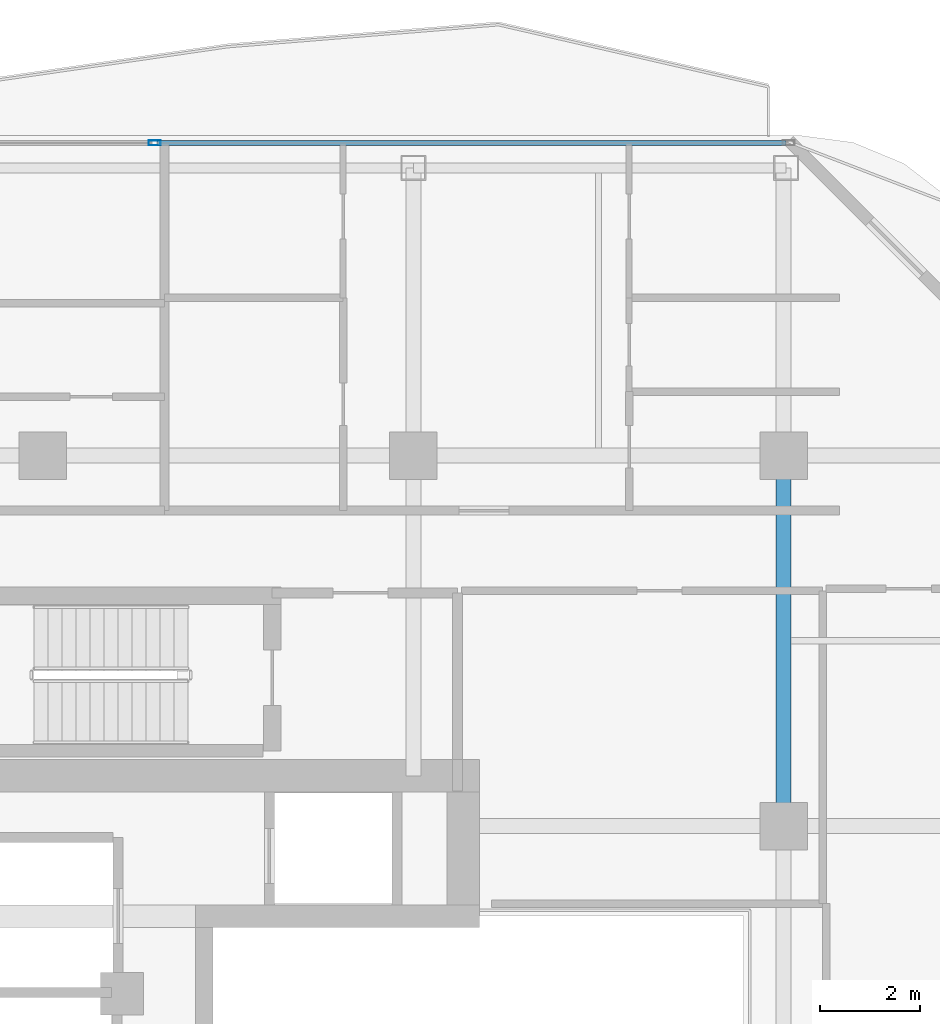
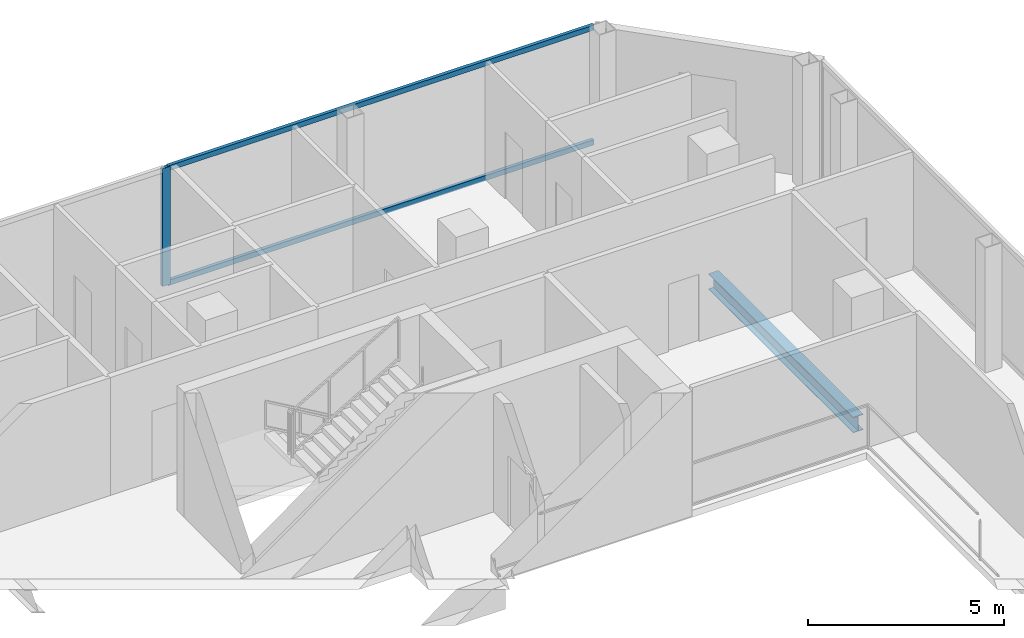
# One storey, part 13 of 23: 3 members, 1 beam, 1 element without a shape of its own.
"""IFC4 building model written with IfcOpenShell, lengths in metres."""

from ifc_helpers import new_model, si_unit, direction, frame, origin, origin_2d, place, context, subcontext, project, spatial, hollow_rectangle, i_section, extrude, material, layer, layer_set, material_profile, profile_set, type_object, element, aggregate, save


model = new_model("IFC4")

# Units and contexts
model_context = context("Model", 3, precision=1e-05, world=origin(), true_north=direction((0.0, 1.0)))
body_context = subcontext(model_context, "Body", "Model", "MODEL_VIEW")
ifc_project = project(units=[si_unit("LENGTHUNIT", "METRE"), si_unit("AREAUNIT", "SQUARE_METRE"), si_unit("VOLUMEUNIT", "CUBIC_METRE"), si_unit("PLANEANGLEUNIT", "RADIAN"), si_unit("MASSUNIT", "GRAM", prefix="KILO")], contexts=[model_context])

# Site, building, storey
site_placement = place(None, origin())
site = spatial("IfcSite", under=ifc_project, at=site_placement, CompositionType="ELEMENT")
building_placement = place(site_placement, origin())
building = spatial("IfcBuilding", under=site, at=building_placement, Name="Khorvyn Point Tower", CompositionType="ELEMENT")
storey_placement = place(building_placement, frame((0.0, 0.0, 293.699951171875)))
storey = spatial("IfcBuildingStorey", under=building, at=storey_placement, Name="L72", CompositionType="ELEMENT", Elevation=293.699951171875)

# Curtain wall, members
ifc_material_1 = material(Name="Anodised aluminium 6063-T6 and laminated Low-E glass", Category="aluminium")
ifc_layer = layer(ifc_material_1, 0.18994140625)
ifc_layer_set = layer_set([ifc_layer], Name="Stick-Built High-Wind Curtain Wall CW-SYS-04")
curtain_wall_type = type_object("IfcCurtainWallType", Name="Stick-Built High-Wind Curtain Wall CW-SYS-04", PredefinedType="NOTDEFINED", material=ifc_layer_set)
curtain_wall_placement = place(storey_placement, origin())
curtain_wall = element("IfcCurtainWall", 1, at=curtain_wall_placement, inside=storey, type_object=curtain_wall_type, Name="Curtain Wall", PredefinedType="NOTDEFINED")
ifc_material_2 = material(Name="Anodised aluminium 6063-T6", Category="aluminium")
ifc_material_profile_1 = material_profile(ifc_material_2, hollow_rectangle(XDim=0.10009765625, YDim=0.239990234375, WallThickness=0.0048828125, at=origin_2d()))
ifc_profile_set_1 = profile_set([ifc_material_profile_1], Name="Anodised aluminium 6063-T6 ALU-MUL-100x240")
member_type_1 = type_object("IfcMemberType", Name="Anodised Aluminium 6063-T6 Mullion ALU-MUL-100x240", PredefinedType="MULLION", material=ifc_profile_set_1)
member_1_placement = place(storey_placement, frame((2.22998046875, 21.050048828125, 0.0), z_axis=(0.0, 0.0, 1.0), x_axis=(0.0, 1.0, 0.0)))
member_1 = element("IfcMember", 2, at=member_1_placement, type_object=member_type_1, Name="Transom", PredefinedType="MULLION", context=body_context, shape_type="SweptSolid", body=[
    extrude(hollow_rectangle(XDim=0.10009765625, YDim=0.239990234375, WallThickness=0.0048828125, at=origin_2d()), origin(), (0.0, 0.0, 1.0), 3.679931640625),
])
ifc_material_profile_2 = material_profile(ifc_material_2, hollow_rectangle(XDim=0.10009765625, YDim=0.159912109375, WallThickness=0.00439453125, at=origin_2d()))
ifc_profile_set_2 = profile_set([ifc_material_profile_2], Name="Anodised aluminium 6063-T6 ALU-TRN-100x160")
member_type_2 = type_object("IfcMemberType", Name="Anodised Aluminium 6063-T6 Transom ALU-TRN-100x160", PredefinedType="USERDEFINED", material=ifc_profile_set_2)
member_2_placement = place(storey_placement, frame((2.280029296875, 21.050048828125, 0.050048828125), z_axis=(1.0, 0.0, 0.0), x_axis=(0.0, 1.0, 0.0)))
member_2 = element("IfcMember", 3, at=member_2_placement, type_object=member_type_2, Name="Transom", ObjectType="TRANSOM", PredefinedType="USERDEFINED", context=body_context, shape_type="SweptSolid", body=[
    extrude(hollow_rectangle(XDim=0.10009765625, YDim=0.159912109375, WallThickness=0.00439453125, at=origin_2d()), origin(), (0.0, 0.0, 1.0), 12.570068359375),
])
member_3_placement = place(storey_placement, frame((2.280029296875, 21.050048828125, 3.630126953125), z_axis=(1.0, 0.0, 0.0), x_axis=(0.0, 1.0, 0.0)))
member_3 = element("IfcMember", 4, at=member_3_placement, type_object=member_type_2, Name="Transom", ObjectType="TRANSOM", PredefinedType="USERDEFINED", context=body_context, shape_type="SweptSolid", body=[
    extrude(hollow_rectangle(XDim=0.10009765625, YDim=0.159912109375, WallThickness=0.00439453125, at=origin_2d()), origin(), (0.0, 0.0, 1.0), 12.570068359375),
])
aggregate(curtain_wall, [member_1, member_2, member_3])

# Beam
ifc_material_3 = material(Name="Steel S355", Category="steel")
ifc_material_profile_3 = material_profile(ifc_material_3, i_section(OverallWidth=0.300048828125, OverallDepth=0.488037109375, WebThickness=0.010986328125, FlangeThickness=0.01806640625, at=origin_2d()))
ifc_profile_set_3 = profile_set([ifc_material_profile_3], Name="Steel S355 H488x300x11x18")
beam_type = type_object("IfcBeamType", Name="Steel S355 Spandrel H488x300x11x18", PredefinedType="SPANDREL", material=ifc_profile_set_3)
beam_placement = place(storey_placement, frame((14.800048828125, 7.39990234375, -0.4638671875), z_axis=(0.0, 1.0, 0.0), x_axis=(-1.0, 0.0, 0.0)))
element("IfcBeam", 5, at=beam_placement, inside=storey, type_object=beam_type, Name="Beam", PredefinedType="SPANDREL", context=body_context, shape_type="SweptSolid", body=[
    extrude(i_section(OverallWidth=0.300048828125, OverallDepth=0.488037109375, WebThickness=0.010986328125, FlangeThickness=0.01806640625, at=origin_2d()), origin(), (0.0, 0.0, 1.0), 7.400146484375),
])

save(model, "model.ifc")
